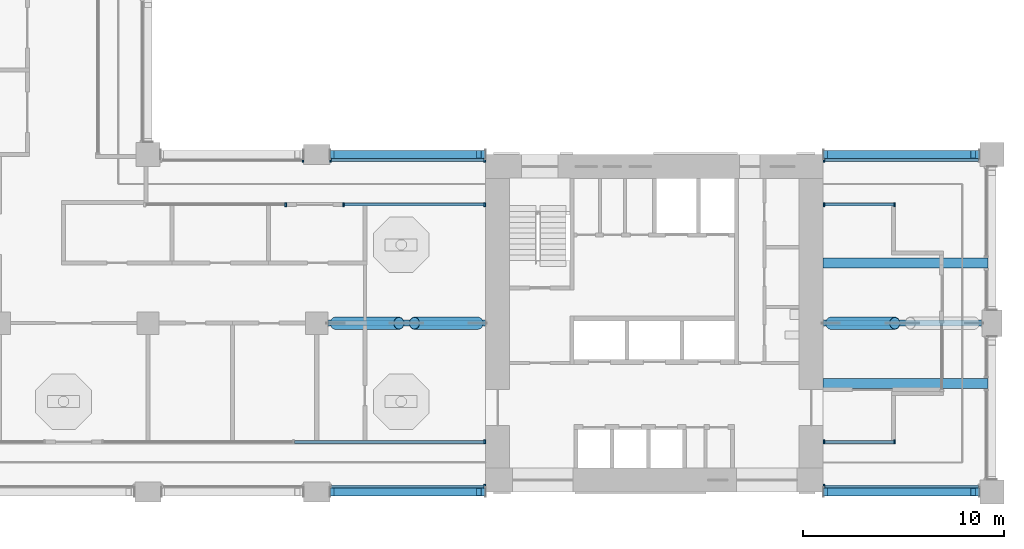
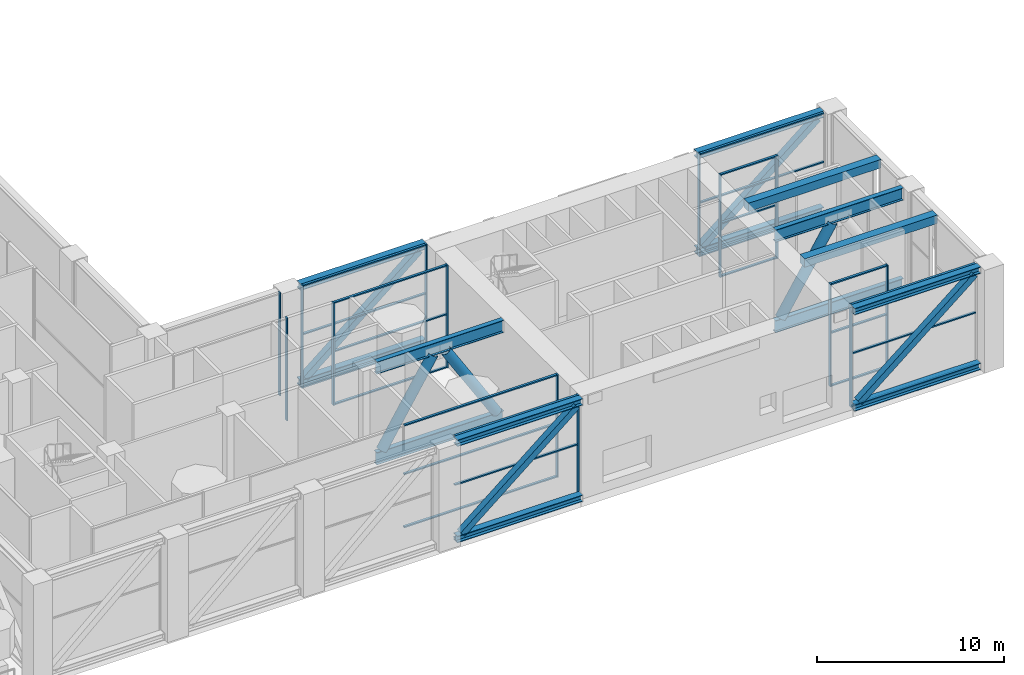
# One storey, part 4 of 22: 57 members, 2 beams, 10 elements without a shape of their own.
"""IFC4 building model written with IfcOpenShell, lengths in metres."""

from ifc_helpers import new_model, si_unit, direction, frame, origin, origin_2d, place, context, subcontext, project, spatial, rectangle, hollow_rectangle, hollow_circle, i_section, extrude, material, material_profile, profile_set, type_object, element, aggregate, save


model = new_model("IFC4")

# Units and contexts
model_context = context("Model", 3, precision=1e-05, world=origin(), true_north=direction((0.0, 1.0)))
body_context = subcontext(model_context, "Body", "Model", "MODEL_VIEW")
ifc_project = project(units=[si_unit("LENGTHUNIT", "METRE"), si_unit("AREAUNIT", "SQUARE_METRE"), si_unit("VOLUMEUNIT", "CUBIC_METRE"), si_unit("PLANEANGLEUNIT", "RADIAN"), si_unit("MASSUNIT", "GRAM", prefix="KILO")], contexts=[model_context])

# Site, building, storey
site_placement = place(None, origin())
site = spatial("IfcSite", under=ifc_project, at=site_placement, CompositionType="ELEMENT")
building_placement = place(site_placement, origin())
building = spatial("IfcBuilding", under=site, at=building_placement, Name="Vermilion Gate Residences", CompositionType="ELEMENT")
storey_placement = place(building_placement, frame((0.0, 0.0, 140.699951171875)))
storey = spatial("IfcBuildingStorey", under=building, at=storey_placement, Name="L36", CompositionType="ELEMENT", Elevation=140.699951171875)

# Beams
ifc_material_1 = material(Name="Concrete C60", Category="concrete")
ifc_material_profile_1 = material_profile(ifc_material_1, rectangle(XDim=0.5, YDim=0.550048828125, at=origin_2d()), Name="RC-500x550")
ifc_profile_set_1 = profile_set([ifc_material_profile_1], Name="Concrete C60")
beam_type = type_object("IfcBeamType", Name="RC WING BEAM 500 X 550 C60", PredefinedType="BEAM", material=ifc_profile_set_1)
for number, where, z_axis, x_axis, name in (
    (1, (58.800048828125, 13.800048828125, 6.445068359375), (1.0, 0.0, 0.0), (0.0, 1.0, 0.0), "Wing-end beam L36 1"),
    (2, (58.800048828125, 19.800048828125, 6.445068359375), (1.0, 0.0, 0.0), (0.0, 1.0, 0.0), "Wing-end beam L36 2"),
):
    element("IfcBeam", number, at=place(storey_placement, frame(where, z_axis=z_axis, x_axis=x_axis)), inside=storey, type_object=beam_type, Name=name, PredefinedType="BEAM", context=body_context, shape_type="SweptSolid", body=[
        extrude(rectangle(XDim=0.5, YDim=0.550048828125, at=origin_2d()), origin(), (0.0, 0.0, 1.0), 8.196533203125),
    ])

# Curtain wall, member
ifc_material_2 = material(Name="Aluminium and glass", Category="aluminium")
curtain_wall_type = type_object("IfcCurtainWallType", Name="SKY GARDEN GLAZING CURTAIN WALL", PredefinedType="NOTDEFINED", material=ifc_material_2)
curtain_wall_1_placement = place(storey_placement, origin())
curtain_wall_1 = element("IfcCurtainWall", 3, at=curtain_wall_1_placement, inside=storey, type_object=curtain_wall_type, Name="Sky Garden Glazing 32", PredefinedType="NOTDEFINED")
ifc_material_3 = material(Name="Aluminium", Category="aluminium")
ifc_material_profile_2 = material_profile(ifc_material_3, rectangle(XDim=0.199951171875, YDim=0.080078125, at=origin_2d()), Name="MULLION 80 X 200")
ifc_profile_set_2 = profile_set([ifc_material_profile_2], Name="Aluminium")
member_type_1 = type_object("IfcMemberType", Name="SKY GARDEN GLAZING MULLION 80 X 200", PredefinedType="MULLION", material=ifc_profile_set_2)
member_1_placement = place(storey_placement, frame((41.9599609375, 10.89990234375, 0.0), z_axis=(0.0, 0.0, 1.0), x_axis=(0.0, 1.0, 0.0)))
member_1 = element("IfcMember", 4, at=member_1_placement, type_object=member_type_1, Name="ECW3 mullion 3", PredefinedType="MULLION", context=body_context, shape_type="SweptSolid", body=[
    extrude(rectangle(XDim=0.199951171875, YDim=0.080078125, at=origin_2d()), origin(), (0.0, 0.0, 1.0), 6.719970703125),
])

# Curtain wall, members
curtain_wall_2_placement = place(storey_placement, origin())
curtain_wall_2 = element("IfcCurtainWall", 5, at=curtain_wall_2_placement, inside=storey, type_object=curtain_wall_type, Name="Sky Garden Glazing 40", PredefinedType="NOTDEFINED")
member_2_placement = place(storey_placement, frame((58.840087890625, 10.89990234375, 0.0), z_axis=(0.0, 0.0, 1.0), x_axis=(0.0, 1.0, 0.0)))
member_2 = element("IfcMember", 6, at=member_2_placement, type_object=member_type_1, Name="ECW3 mullion 1", PredefinedType="MULLION", context=body_context, shape_type="SweptSolid", body=[
    extrude(rectangle(XDim=0.199951171875, YDim=0.080078125, at=origin_2d()), origin(), (0.0, 0.0, 1.0), 6.719970703125),
])
member_3_placement = place(storey_placement, frame((62.360107421875, 10.89990234375, 0.0), z_axis=(0.0, 0.0, 1.0), x_axis=(0.0, 1.0, 0.0)))
member_3 = element("IfcMember", 7, at=member_3_placement, type_object=member_type_1, Name="ECW3 mullion 2", PredefinedType="MULLION", context=body_context, shape_type="SweptSolid", body=[
    extrude(rectangle(XDim=0.199951171875, YDim=0.080078125, at=origin_2d()), origin(), (0.0, 0.0, 1.0), 6.719970703125),
])

curtain_wall_3_placement = place(storey_placement, origin())
curtain_wall_3 = element("IfcCurtainWall", 8, at=curtain_wall_3_placement, inside=storey, type_object=curtain_wall_type, Name="Sky Garden Glazing 100", PredefinedType="NOTDEFINED")
member_4_placement = place(storey_placement, frame((62.360107421875, 22.699951171875, 0.0), z_axis=(0.0, 0.0, 1.0), x_axis=(0.0, -1.0, 0.0)))
member_4 = element("IfcMember", 9, at=member_4_placement, type_object=member_type_1, Name="ECW3 mullion 1", PredefinedType="MULLION", context=body_context, shape_type="SweptSolid", body=[
    extrude(rectangle(XDim=0.199951171875, YDim=0.080078125, at=origin_2d()), origin(), (0.0, 0.0, 1.0), 6.719970703125),
])
member_5_placement = place(storey_placement, frame((58.840087890625, 22.699951171875, 0.0), z_axis=(0.0, 0.0, 1.0), x_axis=(0.0, -1.0, 0.0)))
member_5 = element("IfcMember", 10, at=member_5_placement, type_object=member_type_1, Name="ECW3 mullion 2", PredefinedType="MULLION", context=body_context, shape_type="SweptSolid", body=[
    extrude(rectangle(XDim=0.199951171875, YDim=0.080078125, at=origin_2d()), origin(), (0.0, 0.0, 1.0), 6.719970703125),
])

curtain_wall_4_placement = place(storey_placement, origin())
curtain_wall_4 = element("IfcCurtainWall", 11, at=curtain_wall_4_placement, inside=storey, type_object=curtain_wall_type, Name="Sky Garden Glazing 110", PredefinedType="NOTDEFINED")
member_6_placement = place(storey_placement, frame((41.9599609375, 22.699951171875, 0.0), z_axis=(0.0, 0.0, 1.0), x_axis=(0.0, -1.0, 0.0)))
member_6 = element("IfcMember", 12, at=member_6_placement, type_object=member_type_1, Name="ECW3 mullion 1", PredefinedType="MULLION", context=body_context, shape_type="SweptSolid", body=[
    extrude(rectangle(XDim=0.199951171875, YDim=0.080078125, at=origin_2d()), origin(), (0.0, 0.0, 1.0), 6.719970703125),
])
member_7_placement = place(storey_placement, frame((34.93994140625, 22.699951171875, 0.0), z_axis=(0.0, 0.0, 1.0), x_axis=(0.0, -1.0, 0.0)))
member_7 = element("IfcMember", 13, at=member_7_placement, type_object=member_type_1, Name="ECW3 mullion 2", PredefinedType="MULLION", context=body_context, shape_type="SweptSolid", body=[
    extrude(rectangle(XDim=0.199951171875, YDim=0.080078125, at=origin_2d()), origin(), (0.0, 0.0, 1.0), 6.719970703125),
])

# Curtain wall, member
curtain_wall_5_placement = place(storey_placement, origin())
curtain_wall_5 = element("IfcCurtainWall", 14, at=curtain_wall_5_placement, inside=storey, type_object=curtain_wall_type, Name="Sky Garden Glazing 112", PredefinedType="NOTDEFINED")
member_8_placement = place(storey_placement, frame((32.06005859375, 22.699951171875, 0.0), z_axis=(0.0, 0.0, 1.0), x_axis=(0.0, -1.0, 0.0)))
member_8 = element("IfcMember", 15, at=member_8_placement, type_object=member_type_1, Name="ECW3 mullion 1", PredefinedType="MULLION", context=body_context, shape_type="SweptSolid", body=[
    extrude(rectangle(XDim=0.199951171875, YDim=0.080078125, at=origin_2d()), origin(), (0.0, 0.0, 1.0), 6.719970703125),
])
aggregate(curtain_wall_5, [member_8])

curtain_wall_6_placement = place(storey_placement, origin())
curtain_wall_6 = element("IfcCurtainWall", 16, at=curtain_wall_6_placement, inside=storey, type_object=curtain_wall_type, Name="Sky Garden Glazing 507", PredefinedType="NOTDEFINED")
member_9_placement = place(storey_placement, frame((41.9599609375, 8.679931640625, 0.0), z_axis=(0.0, 0.0, 1.0), x_axis=(0.0, 1.0, 0.0)))
member_9 = element("IfcMember", 17, at=member_9_placement, type_object=member_type_1, Name="ECW3 mullion 2", PredefinedType="MULLION", context=body_context, shape_type="SweptSolid", body=[
    extrude(rectangle(XDim=0.199951171875, YDim=0.080078125, at=origin_2d()), origin(), (0.0, 0.0, 1.0), 6.719970703125),
])

curtain_wall_7_placement = place(storey_placement, origin())
curtain_wall_7 = element("IfcCurtainWall", 18, at=curtain_wall_7_placement, inside=storey, type_object=curtain_wall_type, Name="Sky Garden Glazing 508", PredefinedType="NOTDEFINED")
member_10_placement = place(storey_placement, frame((58.840087890625, 8.679931640625, 0.0), z_axis=(0.0, 0.0, 1.0), x_axis=(0.0, 1.0, 0.0)))
member_10 = element("IfcMember", 19, at=member_10_placement, type_object=member_type_1, Name="ECW3 mullion 1", PredefinedType="MULLION", context=body_context, shape_type="SweptSolid", body=[
    extrude(rectangle(XDim=0.199951171875, YDim=0.080078125, at=origin_2d()), origin(), (0.0, 0.0, 1.0), 6.719970703125),
])

curtain_wall_8_placement = place(storey_placement, origin())
curtain_wall_8 = element("IfcCurtainWall", 20, at=curtain_wall_8_placement, inside=storey, type_object=curtain_wall_type, Name="Sky Garden Glazing 513", PredefinedType="NOTDEFINED")
member_11_placement = place(storey_placement, frame((58.840087890625, 24.919921875, 0.0), z_axis=(0.0, 0.0, 1.0), x_axis=(0.0, -1.0, 0.0)))
member_11 = element("IfcMember", 21, at=member_11_placement, type_object=member_type_1, Name="ECW3 mullion 2", PredefinedType="MULLION", context=body_context, shape_type="SweptSolid", body=[
    extrude(rectangle(XDim=0.199951171875, YDim=0.080078125, at=origin_2d()), origin(), (0.0, 0.0, 1.0), 6.719970703125),
])

# Curtain wall, members
curtain_wall_9_placement = place(storey_placement, origin())
curtain_wall_9 = element("IfcCurtainWall", 22, at=curtain_wall_9_placement, inside=storey, type_object=curtain_wall_type, Name="Sky Garden Glazing 514", PredefinedType="NOTDEFINED")
member_12_placement = place(storey_placement, frame((41.9599609375, 24.919921875, 0.0), z_axis=(0.0, 0.0, 1.0), x_axis=(0.0, -1.0, 0.0)))
member_12 = element("IfcMember", 23, at=member_12_placement, type_object=member_type_1, Name="ECW3 mullion 1", PredefinedType="MULLION", context=body_context, shape_type="SweptSolid", body=[
    extrude(rectangle(XDim=0.199951171875, YDim=0.080078125, at=origin_2d()), origin(), (0.0, 0.0, 1.0), 6.719970703125),
])
member_13_placement = place(storey_placement, frame((34.2900390625, 24.919921875, 0.0), z_axis=(0.0, 0.0, 1.0), x_axis=(0.0, -1.0, 0.0)))
member_13 = element("IfcMember", 24, at=member_13_placement, type_object=member_type_1, Name="ECW3 mullion 2", PredefinedType="MULLION", context=body_context, shape_type="SweptSolid", body=[
    extrude(rectangle(XDim=0.199951171875, YDim=0.080078125, at=origin_2d()), origin(), (0.0, 0.0, 1.0), 6.719970703125),
])

# Curtain wall, member
curtain_wall_10_placement = place(storey_placement, origin())
curtain_wall_10 = element("IfcCurtainWall", 25, at=curtain_wall_10_placement, inside=storey, type_object=curtain_wall_type, Name="Sky Garden Glazing 515", PredefinedType="NOTDEFINED")
member_14_placement = place(storey_placement, frame((32.909912109375, 24.919921875, 0.0), z_axis=(0.0, 0.0, 1.0), x_axis=(0.0, -1.0, 0.0)))
member_14 = element("IfcMember", 26, at=member_14_placement, type_object=member_type_1, Name="ECW3 mullion 1", PredefinedType="MULLION", context=body_context, shape_type="SweptSolid", body=[
    extrude(rectangle(XDim=0.199951171875, YDim=0.080078125, at=origin_2d()), origin(), (0.0, 0.0, 1.0), 6.719970703125),
])
aggregate(curtain_wall_10, [member_14])

# Member
ifc_material_4 = material(Name="Aluminium", Category="aluminium")
ifc_material_profile_3 = material_profile(ifc_material_4, rectangle(XDim=0.14990234375, YDim=0.080078125, at=origin_2d()), Name="TRANSOM 80 X 150")
ifc_profile_set_3 = profile_set([ifc_material_profile_3], Name="Aluminium")
member_type_2 = type_object("IfcMemberType", Name="SKY GARDEN GLAZING TRANSOM 80 X 150", PredefinedType="MULLION", material=ifc_profile_set_3)
member_15_placement = place(storey_placement, frame((32.489990234375, 10.89990234375, 0.0400390625), z_axis=(1.0, 0.0, 0.0), x_axis=(0.0, 1.0, 0.0)))
member_15 = element("IfcMember", 27, at=member_15_placement, type_object=member_type_2, Name="ECW3 transom 2.1", PredefinedType="MULLION", context=body_context, shape_type="SweptSolid", body=[
    extrude(rectangle(XDim=0.14990234375, YDim=0.080078125, at=origin_2d()), origin(), (0.0, 0.0, 1.0), 9.429931640625),
])

member_16_placement = place(storey_placement, frame((32.489990234375, 10.89990234375, 3.5), z_axis=(1.0, 0.0, 0.0), x_axis=(0.0, 1.0, 0.0)))
member_16 = element("IfcMember", 28, at=member_16_placement, type_object=member_type_2, Name="ECW3 transom 2.2", PredefinedType="MULLION", context=body_context, shape_type="SweptSolid", body=[
    extrude(rectangle(XDim=0.14990234375, YDim=0.080078125, at=origin_2d()), origin(), (0.0, 0.0, 1.0), 9.429931640625),
])

member_17_placement = place(storey_placement, frame((32.489990234375, 10.89990234375, 6.679931640625), z_axis=(1.0, 0.0, 0.0), x_axis=(0.0, 1.0, 0.0)))
member_17 = element("IfcMember", 29, at=member_17_placement, type_object=member_type_2, Name="ECW3 transom 2.3", PredefinedType="MULLION", context=body_context, shape_type="SweptSolid", body=[
    extrude(rectangle(XDim=0.14990234375, YDim=0.080078125, at=origin_2d()), origin(), (0.0, 0.0, 1.0), 9.429931640625),
])

aggregate(curtain_wall_1, [member_1, member_15, member_16, member_17])

member_18_placement = place(storey_placement, frame((58.8798828125, 10.89990234375, 0.0400390625), z_axis=(1.0, 0.0, 0.0), x_axis=(0.0, 1.0, 0.0)))
member_18 = element("IfcMember", 30, at=member_18_placement, type_object=member_type_2, Name="ECW3 transom 1.1", PredefinedType="MULLION", context=body_context, shape_type="SweptSolid", body=[
    extrude(rectangle(XDim=0.14990234375, YDim=0.080078125, at=origin_2d()), origin(), (0.0, 0.0, 1.0), 3.440185546875),
])

member_19_placement = place(storey_placement, frame((58.8798828125, 10.89990234375, 3.5), z_axis=(1.0, 0.0, 0.0), x_axis=(0.0, 1.0, 0.0)))
member_19 = element("IfcMember", 31, at=member_19_placement, type_object=member_type_2, Name="ECW3 transom 1.2", PredefinedType="MULLION", context=body_context, shape_type="SweptSolid", body=[
    extrude(rectangle(XDim=0.14990234375, YDim=0.080078125, at=origin_2d()), origin(), (0.0, 0.0, 1.0), 3.440185546875),
])

member_20_placement = place(storey_placement, frame((58.8798828125, 10.89990234375, 6.679931640625), z_axis=(1.0, 0.0, 0.0), x_axis=(0.0, 1.0, 0.0)))
member_20 = element("IfcMember", 32, at=member_20_placement, type_object=member_type_2, Name="ECW3 transom 1.3", PredefinedType="MULLION", context=body_context, shape_type="SweptSolid", body=[
    extrude(rectangle(XDim=0.14990234375, YDim=0.080078125, at=origin_2d()), origin(), (0.0, 0.0, 1.0), 3.440185546875),
])

aggregate(curtain_wall_2, [member_2, member_3, member_18, member_19, member_20])

member_21_placement = place(storey_placement, frame((62.320068359375, 22.699951171875, 0.0400390625), z_axis=(-1.0, 0.0, 0.0), x_axis=(0.0, -1.0, 0.0)))
member_21 = element("IfcMember", 33, at=member_21_placement, type_object=member_type_2, Name="ECW3 transom 1.1", PredefinedType="MULLION", context=body_context, shape_type="SweptSolid", body=[
    extrude(rectangle(XDim=0.14990234375, YDim=0.080078125, at=origin_2d()), origin(), (0.0, 0.0, 1.0), 3.440185546875),
])

member_22_placement = place(storey_placement, frame((62.320068359375, 22.699951171875, 3.5), z_axis=(-1.0, 0.0, 0.0), x_axis=(0.0, -1.0, 0.0)))
member_22 = element("IfcMember", 34, at=member_22_placement, type_object=member_type_2, Name="ECW3 transom 1.2", PredefinedType="MULLION", context=body_context, shape_type="SweptSolid", body=[
    extrude(rectangle(XDim=0.14990234375, YDim=0.080078125, at=origin_2d()), origin(), (0.0, 0.0, 1.0), 3.440185546875),
])

member_23_placement = place(storey_placement, frame((62.320068359375, 22.699951171875, 6.679931640625), z_axis=(-1.0, 0.0, 0.0), x_axis=(0.0, -1.0, 0.0)))
member_23 = element("IfcMember", 35, at=member_23_placement, type_object=member_type_2, Name="ECW3 transom 1.3", PredefinedType="MULLION", context=body_context, shape_type="SweptSolid", body=[
    extrude(rectangle(XDim=0.14990234375, YDim=0.080078125, at=origin_2d()), origin(), (0.0, 0.0, 1.0), 3.440185546875),
])

aggregate(curtain_wall_3, [member_4, member_5, member_21, member_22, member_23])

member_24_placement = place(storey_placement, frame((41.919921875, 22.699951171875, 0.0400390625), z_axis=(-1.0, 0.0, 0.0), x_axis=(0.0, -1.0, 0.0)))
member_24 = element("IfcMember", 36, at=member_24_placement, type_object=member_type_2, Name="ECW3 transom 1.1", PredefinedType="MULLION", context=body_context, shape_type="SweptSolid", body=[
    extrude(rectangle(XDim=0.14990234375, YDim=0.080078125, at=origin_2d()), origin(), (0.0, 0.0, 1.0), 6.93994140625),
])

member_25_placement = place(storey_placement, frame((41.919921875, 22.699951171875, 3.5), z_axis=(-1.0, 0.0, 0.0), x_axis=(0.0, -1.0, 0.0)))
member_25 = element("IfcMember", 37, at=member_25_placement, type_object=member_type_2, Name="ECW3 transom 1.2", PredefinedType="MULLION", context=body_context, shape_type="SweptSolid", body=[
    extrude(rectangle(XDim=0.14990234375, YDim=0.080078125, at=origin_2d()), origin(), (0.0, 0.0, 1.0), 6.93994140625),
])

member_26_placement = place(storey_placement, frame((41.919921875, 22.699951171875, 6.679931640625), z_axis=(-1.0, 0.0, 0.0), x_axis=(0.0, -1.0, 0.0)))
member_26 = element("IfcMember", 38, at=member_26_placement, type_object=member_type_2, Name="ECW3 transom 1.3", PredefinedType="MULLION", context=body_context, shape_type="SweptSolid", body=[
    extrude(rectangle(XDim=0.14990234375, YDim=0.080078125, at=origin_2d()), origin(), (0.0, 0.0, 1.0), 6.93994140625),
])

aggregate(curtain_wall_4, [member_6, member_7, member_24, member_25, member_26])

member_27_placement = place(storey_placement, frame((34.330078125, 8.679931640625, 0.0400390625), z_axis=(1.0, 0.0, 0.0), x_axis=(0.0, 1.0, 0.0)))
member_27 = element("IfcMember", 39, at=member_27_placement, type_object=member_type_2, Name="ECW3 transom 1.1", PredefinedType="MULLION", context=body_context, shape_type="SweptSolid", body=[
    extrude(rectangle(XDim=0.14990234375, YDim=0.080078125, at=origin_2d()), origin(), (0.0, 0.0, 1.0), 7.58984375),
])

member_28_placement = place(storey_placement, frame((34.330078125, 8.679931640625, 3.5), z_axis=(1.0, 0.0, 0.0), x_axis=(0.0, 1.0, 0.0)))
member_28 = element("IfcMember", 40, at=member_28_placement, type_object=member_type_2, Name="ECW3 transom 1.2", PredefinedType="MULLION", context=body_context, shape_type="SweptSolid", body=[
    extrude(rectangle(XDim=0.14990234375, YDim=0.080078125, at=origin_2d()), origin(), (0.0, 0.0, 1.0), 7.58984375),
])

member_29_placement = place(storey_placement, frame((34.330078125, 8.679931640625, 6.679931640625), z_axis=(1.0, 0.0, 0.0), x_axis=(0.0, 1.0, 0.0)))
member_29 = element("IfcMember", 41, at=member_29_placement, type_object=member_type_2, Name="ECW3 transom 1.3", PredefinedType="MULLION", context=body_context, shape_type="SweptSolid", body=[
    extrude(rectangle(XDim=0.14990234375, YDim=0.080078125, at=origin_2d()), origin(), (0.0, 0.0, 1.0), 7.58984375),
])

aggregate(curtain_wall_6, [member_9, member_27, member_28, member_29])

member_30_placement = place(storey_placement, frame((58.8798828125, 8.679931640625, 0.0400390625), z_axis=(1.0, 0.0, 0.0), x_axis=(0.0, 1.0, 0.0)))
member_30 = element("IfcMember", 42, at=member_30_placement, type_object=member_type_2, Name="ECW3 transom 1.1", PredefinedType="MULLION", context=body_context, shape_type="SweptSolid", body=[
    extrude(rectangle(XDim=0.14990234375, YDim=0.080078125, at=origin_2d()), origin(), (0.0, 0.0, 1.0), 7.64013671875),
])

member_31_placement = place(storey_placement, frame((58.8798828125, 8.679931640625, 3.5), z_axis=(1.0, 0.0, 0.0), x_axis=(0.0, 1.0, 0.0)))
member_31 = element("IfcMember", 43, at=member_31_placement, type_object=member_type_2, Name="ECW3 transom 1.2", PredefinedType="MULLION", context=body_context, shape_type="SweptSolid", body=[
    extrude(rectangle(XDim=0.14990234375, YDim=0.080078125, at=origin_2d()), origin(), (0.0, 0.0, 1.0), 7.64013671875),
])

member_32_placement = place(storey_placement, frame((58.8798828125, 8.679931640625, 6.679931640625), z_axis=(1.0, 0.0, 0.0), x_axis=(0.0, 1.0, 0.0)))
member_32 = element("IfcMember", 44, at=member_32_placement, type_object=member_type_2, Name="ECW3 transom 1.3", PredefinedType="MULLION", context=body_context, shape_type="SweptSolid", body=[
    extrude(rectangle(XDim=0.14990234375, YDim=0.080078125, at=origin_2d()), origin(), (0.0, 0.0, 1.0), 7.64013671875),
])

aggregate(curtain_wall_7, [member_10, member_30, member_31, member_32])

member_33_placement = place(storey_placement, frame((66.52001953125, 24.919921875, 0.0400390625), z_axis=(-1.0, 0.0, 0.0), x_axis=(0.0, -1.0, 0.0)))
member_33 = element("IfcMember", 45, at=member_33_placement, type_object=member_type_2, Name="ECW3 transom 1.1", PredefinedType="MULLION", context=body_context, shape_type="SweptSolid", body=[
    extrude(rectangle(XDim=0.14990234375, YDim=0.080078125, at=origin_2d()), origin(), (0.0, 0.0, 1.0), 7.64013671875),
])

member_34_placement = place(storey_placement, frame((66.52001953125, 24.919921875, 3.5), z_axis=(-1.0, 0.0, 0.0), x_axis=(0.0, -1.0, 0.0)))
member_34 = element("IfcMember", 46, at=member_34_placement, type_object=member_type_2, Name="ECW3 transom 1.2", PredefinedType="MULLION", context=body_context, shape_type="SweptSolid", body=[
    extrude(rectangle(XDim=0.14990234375, YDim=0.080078125, at=origin_2d()), origin(), (0.0, 0.0, 1.0), 7.64013671875),
])

member_35_placement = place(storey_placement, frame((66.52001953125, 24.919921875, 6.679931640625), z_axis=(-1.0, 0.0, 0.0), x_axis=(0.0, -1.0, 0.0)))
member_35 = element("IfcMember", 47, at=member_35_placement, type_object=member_type_2, Name="ECW3 transom 1.3", PredefinedType="MULLION", context=body_context, shape_type="SweptSolid", body=[
    extrude(rectangle(XDim=0.14990234375, YDim=0.080078125, at=origin_2d()), origin(), (0.0, 0.0, 1.0), 7.64013671875),
])

aggregate(curtain_wall_8, [member_11, member_33, member_34, member_35])

member_36_placement = place(storey_placement, frame((41.919921875, 24.919921875, 0.0400390625), z_axis=(-1.0, 0.0, 0.0), x_axis=(0.0, -1.0, 0.0)))
member_36 = element("IfcMember", 48, at=member_36_placement, type_object=member_type_2, Name="ECW3 transom 1.1", PredefinedType="MULLION", context=body_context, shape_type="SweptSolid", body=[
    extrude(rectangle(XDim=0.14990234375, YDim=0.080078125, at=origin_2d()), origin(), (0.0, 0.0, 1.0), 7.58984375),
])

member_37_placement = place(storey_placement, frame((41.919921875, 24.919921875, 3.5), z_axis=(-1.0, 0.0, 0.0), x_axis=(0.0, -1.0, 0.0)))
member_37 = element("IfcMember", 49, at=member_37_placement, type_object=member_type_2, Name="ECW3 transom 1.2", PredefinedType="MULLION", context=body_context, shape_type="SweptSolid", body=[
    extrude(rectangle(XDim=0.14990234375, YDim=0.080078125, at=origin_2d()), origin(), (0.0, 0.0, 1.0), 7.58984375),
])

member_38_placement = place(storey_placement, frame((41.919921875, 24.919921875, 6.679931640625), z_axis=(-1.0, 0.0, 0.0), x_axis=(0.0, -1.0, 0.0)))
member_38 = element("IfcMember", 50, at=member_38_placement, type_object=member_type_2, Name="ECW3 transom 1.3", PredefinedType="MULLION", context=body_context, shape_type="SweptSolid", body=[
    extrude(rectangle(XDim=0.14990234375, YDim=0.080078125, at=origin_2d()), origin(), (0.0, 0.0, 1.0), 7.58984375),
])

aggregate(curtain_wall_9, [member_12, member_13, member_36, member_37, member_38])

# Members
ifc_material_5 = material(Name="Steel SM490", Category="steel")
ifc_material_profile_4 = material_profile(ifc_material_5, i_section(OverallWidth=0.406982421875, OverallDepth=0.427978515625, WebThickness=0.02001953125, FlangeThickness=0.034912109375, at=origin_2d()), Name="H-428x407x20x35")
ifc_profile_set_4 = profile_set([ifc_material_profile_4], Name="Steel SM490")
member_type_3 = type_object("IfcMemberType", Name="STEEL BELT TRUSS CHORD H-428x407x20x35 SM490", PredefinedType="CHORD", material=ifc_profile_set_4)
for number, where, z_axis, x_axis, name in (
    (51, (34.25, 8.39990234375, 0.214111328125), (1.0, 0.0, 0.0), (0.0, 1.0, 0.0), "Belt Truss chord bot L36 BELT31"),
    (52, (34.25, 8.39990234375, 6.506103515625), (1.0, 0.0, 0.0), (0.0, 1.0, 0.0), "Belt Truss chord top L36 BELT31"),
    (53, (34.25, 25.199951171875, 0.214111328125), (1.0, 0.0, 0.0), (0.0, 1.0, 0.0), "Belt Truss chord bot L36 BELT32"),
    (54, (34.25, 25.199951171875, 6.506103515625), (1.0, 0.0, 0.0), (0.0, 1.0, 0.0), "Belt Truss chord top L36 BELT32"),
):
    element("IfcMember", number, at=place(storey_placement, frame(where, z_axis=z_axis, x_axis=x_axis)), inside=storey, type_object=member_type_3, Name=name, PredefinedType="CHORD", context=body_context, shape_type="SweptSolid", body=[
        extrude(i_section(OverallWidth=0.406982421875, OverallDepth=0.427978515625, WebThickness=0.02001953125, FlangeThickness=0.034912109375, at=origin_2d()), origin(), (0.0, 0.0, 1.0), 7.75),
    ])
for number, where, z_axis, x_axis, name in (
    (55, (58.800048828125, 8.39990234375, 0.214111328125), (1.0, 0.0, 0.0), (0.0, 1.0, 0.0), "Belt Truss chord bot L36 BELT33"),
    (56, (58.800048828125, 8.39990234375, 6.506103515625), (1.0, 0.0, 0.0), (0.0, 1.0, 0.0), "Belt Truss chord top L36 BELT33"),
    (57, (58.800048828125, 25.199951171875, 0.214111328125), (1.0, 0.0, 0.0), (0.0, 1.0, 0.0), "Belt Truss chord bot L36 BELT36"),
    (58, (58.800048828125, 25.199951171875, 6.506103515625), (1.0, 0.0, 0.0), (0.0, 1.0, 0.0), "Belt Truss chord top L36 BELT36"),
):
    element("IfcMember", number, at=place(storey_placement, frame(where, z_axis=z_axis, x_axis=x_axis)), inside=storey, type_object=member_type_3, Name=name, PredefinedType="CHORD", context=body_context, shape_type="SweptSolid", body=[
        extrude(i_section(OverallWidth=0.406982421875, OverallDepth=0.427978515625, WebThickness=0.02001953125, FlangeThickness=0.034912109375, at=origin_2d()), origin(), (0.0, 0.0, 1.0), 7.800048828125),
    ])
ifc_material_6 = material(Name="Steel SM490", Category="steel")
ifc_material_profile_5 = material_profile(ifc_material_6, hollow_rectangle(XDim=0.39990234375, YDim=0.39990234375, WallThickness=0.01611328125, at=origin_2d()), Name="BOX-400x400x16")
ifc_profile_set_5 = profile_set([ifc_material_profile_5], Name="Steel SM490")
member_type_4 = type_object("IfcMemberType", Name="STEEL BELT TRUSS DIAGONAL BOX-400x400x16 SM490", PredefinedType="BRACE", material=ifc_profile_set_5)
for number, where, z_axis, x_axis, name in (
    (59, (34.58154296875, 8.39990234375, 0.427978515625), (0.77044871262, 0.0, 0.63750198527), (0.0, 1.0, 0.0), "Belt Truss diagonal L36 BELT31-1"),
    (60, (34.58154296875, 25.199951171875, 0.427978515625), (0.77044871262, 0.0, 0.63750198527), (0.0, 1.0, 0.0), "Belt Truss diagonal L36 BELT32-1"),
):
    element("IfcMember", number, at=place(storey_placement, frame(where, z_axis=z_axis, x_axis=x_axis)), inside=storey, type_object=member_type_4, Name=name, PredefinedType="BRACE", context=body_context, shape_type="SweptSolid", body=[
        extrude(hollow_rectangle(XDim=0.39990234375, YDim=0.39990234375, WallThickness=0.01611328125, at=origin_2d()), origin(), (0.0, 0.0, 1.0), 9.198486328125),
    ])
for number, where, z_axis, x_axis, name in (
    (61, (59.1328125, 8.39990234375, 0.427978515625), (0.772528939715, 0.0, 0.634979556602), (0.0, 1.0, 0.0), "Belt Truss diagonal L36 BELT33-1"),
    (62, (59.1328125, 25.199951171875, 0.427978515625), (0.772528939715, 0.0, 0.634979556602), (0.0, 1.0, 0.0), "Belt Truss diagonal L36 BELT36-1"),
):
    element("IfcMember", number, at=place(storey_placement, frame(where, z_axis=z_axis, x_axis=x_axis)), inside=storey, type_object=member_type_4, Name=name, PredefinedType="BRACE", context=body_context, shape_type="SweptSolid", body=[
        extrude(hollow_rectangle(XDim=0.39990234375, YDim=0.39990234375, WallThickness=0.01611328125, at=origin_2d()), origin(), (0.0, 0.0, 1.0), 9.23486328125),
    ])
ifc_material_7 = material(Name="Steel SM490", Category="steel")
ifc_material_profile_6 = material_profile(ifc_material_7, i_section(OverallWidth=0.300048828125, OverallDepth=0.800048828125, WebThickness=0.013916015625, FlangeThickness=0.02587890625, at=origin_2d()), Name="H-800x300x14x26")
ifc_profile_set_6 = profile_set([ifc_material_profile_6], Name="Steel SM490")
member_type_5 = type_object("IfcMemberType", Name="STEEL OUTRIGGER TRUSS CHORD H-800x300x14x26 SM490", PredefinedType="CHORD", material=ifc_profile_set_6)
for number, where, z_axis, x_axis, name in (
    (63, (42.0, 16.800048828125, 0.400146484375), (-1.0, 0.0, 0.0), (0.0, -1.0, 0.0), "Outrigger Truss chord bot L36 OUT5"),
    (64, (42.0, 16.800048828125, 6.320068359375), (-1.0, 0.0, 0.0), (0.0, -1.0, 0.0), "Outrigger Truss chord top L36 OUT5"),
):
    element("IfcMember", number, at=place(storey_placement, frame(where, z_axis=z_axis, x_axis=x_axis)), inside=storey, type_object=member_type_5, Name=name, PredefinedType="CHORD", context=body_context, shape_type="SweptSolid", body=[
        extrude(i_section(OverallWidth=0.300048828125, OverallDepth=0.800048828125, WebThickness=0.013916015625, FlangeThickness=0.02587890625, at=origin_2d()), origin(), (0.0, 0.0, 1.0), 7.85009765625),
    ])
for number, where, z_axis, x_axis, name in (
    (65, (58.800048828125, 16.800048828125, 0.400146484375), (1.0, 0.0, 0.0), (0.0, 1.0, 0.0), "Outrigger Truss chord bot L36 OUT6"),
    (66, (58.800048828125, 16.800048828125, 6.320068359375), (1.0, 0.0, 0.0), (0.0, 1.0, 0.0), "Outrigger Truss chord top L36 OUT6"),
):
    element("IfcMember", number, at=place(storey_placement, frame(where, z_axis=z_axis, x_axis=x_axis)), inside=storey, type_object=member_type_5, Name=name, PredefinedType="CHORD", context=body_context, shape_type="SweptSolid", body=[
        extrude(i_section(OverallWidth=0.300048828125, OverallDepth=0.800048828125, WebThickness=0.013916015625, FlangeThickness=0.02587890625, at=origin_2d()), origin(), (0.0, 0.0, 1.0), 7.89990234375),
    ])
ifc_material_8 = material(Name="Steel SM490", Category="steel")
ifc_material_profile_7 = material_profile(ifc_material_8, hollow_circle(Radius=0.3046875, WallThickness=0.01904296875, at=origin_2d()), Name="CHS-609.6x19")
ifc_profile_set_7 = profile_set([ifc_material_profile_7], Name="Steel SM490")
member_type_6 = type_object("IfcMemberType", Name="STEEL OUTRIGGER TRUSS DIAGONAL CHS-609.6x19 SM490", PredefinedType="BRACE", material=ifc_profile_set_7)
for number, where, z_axis, x_axis, name in (
    (67, (41.615966796875, 16.800048828125, 0.800048828125), (-0.524837732771, 0.0, 0.851202299256), (0.0, -1.0, 0.0), "Outrigger Truss diagonal L36 OUT5-1"),
    (68, (37.69091796875, 16.800048828125, 5.920166015625), (-0.524837732771, 0.0, -0.851202299256), (0.0, -1.0, 0.0), "Outrigger Truss diagonal L36 OUT5-2"),
):
    element("IfcMember", number, at=place(storey_placement, frame(where, z_axis=z_axis, x_axis=x_axis)), inside=storey, type_object=member_type_6, Name=name, PredefinedType="BRACE", context=body_context, shape_type="SweptSolid", body=[
        extrude(hollow_circle(Radius=0.3046875, WallThickness=0.01904296875, at=origin_2d()), origin(), (0.0, 0.0, 1.0), 6.01513671875),
    ])
member_39_placement = place(storey_placement, frame((59.18505859375, 16.800048828125, 0.800048828125), z_axis=(0.527593745243, 0.0, 0.849496815757), x_axis=(0.0, 1.0, 0.0)))
element("IfcMember", 69, at=member_39_placement, inside=storey, type_object=member_type_6, Name="Outrigger Truss diagonal L36 OUT6-1", PredefinedType="BRACE", context=body_context, shape_type="SweptSolid", body=[
    extrude(hollow_circle(Radius=0.3046875, WallThickness=0.01904296875, at=origin_2d()), origin(), (0.0, 0.0, 1.0), 6.02734375),
])

save(model, "model.ifc")
